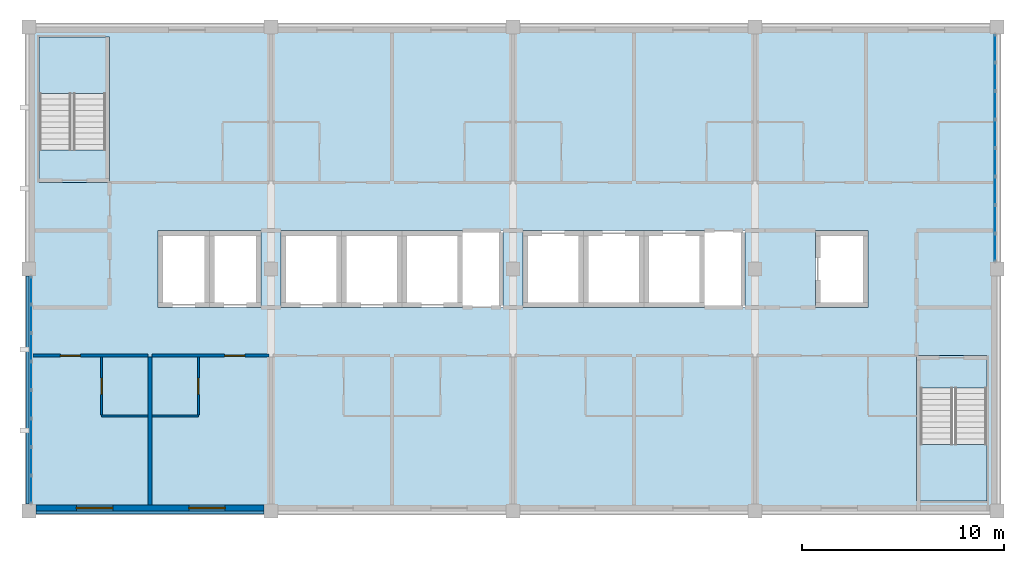
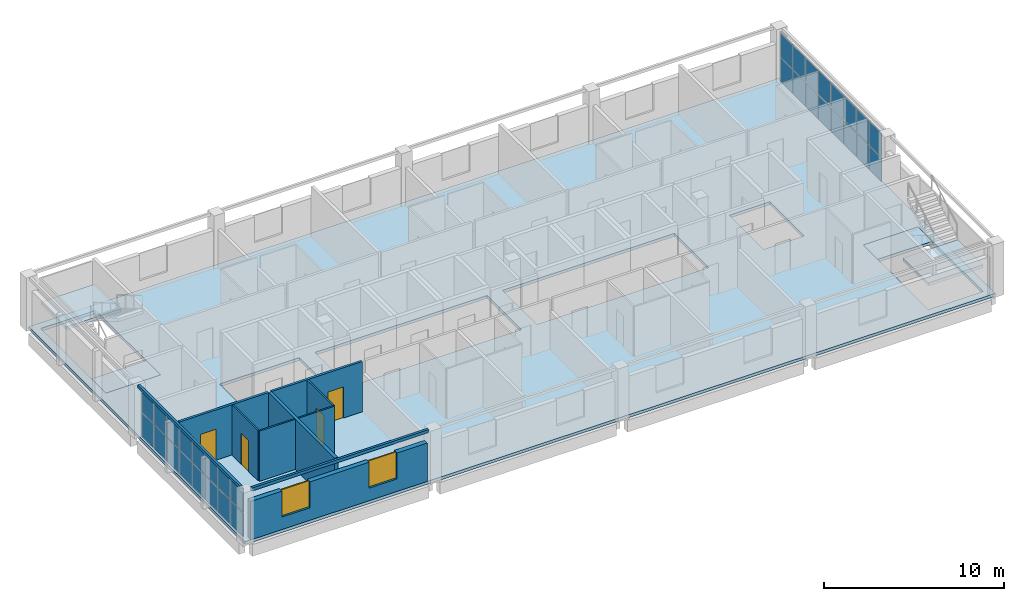
# One storey, part 5 of 11: 32 plates, 10 walls, 5 slabs, 4 doors, 2 windows, 6 openings, 4 elements without a shape of their own.
"""IFC4 building model written with IfcOpenShell, lengths in metres."""

from ifc_helpers import new_model, si_unit, direction, frame, frame_2d, origin, origin_2d, place, context, subcontext, project, spatial, polyline, rectangle, outline, extrude, material, layer, layer_set, type_object, element, fill, aggregate, save


model = new_model("IFC4")

# Units and contexts
model_context = context("Model", 3, precision=1e-05, world=origin(), true_north=direction((0.0, 1.0)))
body_context = subcontext(model_context, "Body", "Model", "MODEL_VIEW")
ifc_project = project(units=[si_unit("LENGTHUNIT", "METRE"), si_unit("AREAUNIT", "SQUARE_METRE"), si_unit("VOLUMEUNIT", "CUBIC_METRE"), si_unit("PLANEANGLEUNIT", "RADIAN"), si_unit("MASSUNIT", "GRAM", prefix="KILO")], contexts=[model_context])

# Site, building, storey
site_placement = place(None, origin())
site = spatial("IfcSite", under=ifc_project, at=site_placement, CompositionType="ELEMENT")
building_placement = place(site_placement, origin())
building = spatial("IfcBuilding", under=site, at=building_placement, Name="Lilac Gate Convention Centre", CompositionType="ELEMENT")
storey_placement = place(building_placement, frame((0.0, 0.0, 64.199951171875)))
storey = spatial("IfcBuildingStorey", under=building, at=storey_placement, Name="L16", CompositionType="ELEMENT", Elevation=64.199951171875)

# Curtain wall, plates
ifc_material_1 = material(Name="Aluminium framed double glazing", Category="aluminium")
ifc_layer_1 = layer(ifc_material_1, 0.199951171875)
ifc_layer_set_1 = layer_set([ifc_layer_1], Name="Aluminium framed double glazing")
curtain_wall_type = type_object("IfcCurtainWallType", Name="Unitised curtain wall 1500", PredefinedType="NOTDEFINED", material=ifc_layer_set_1)
curtain_wall_1_placement = place(storey_placement, origin())
curtain_wall_1 = element("IfcCurtainWall", 1, at=curtain_wall_1_placement, inside=storey, type_object=curtain_wall_type, Name="Curtain wall E L16 2", PredefinedType="NOTDEFINED")
ifc_material_2 = material(Name="Double glazed unit low emissivity")
ifc_layer_2 = layer(ifc_material_2, 0.028076171875)
ifc_layer_set_2 = layer_set([ifc_layer_2], Name="Double glazed unit low emissivity")
plate_type_1 = type_object("IfcPlateType", Name="Curtain wall glass panel 28", PredefinedType="CURTAIN_PANEL", material=ifc_layer_set_2)
plate_1_placement = place(storey_placement, frame((89.89990234375, 235.0712890625, 1.72998046875), z_axis=(0.0, 0.0, 1.0), x_axis=(0.0, 1.0, 0.0)))
plate_1 = element("IfcPlate", 2, at=plate_1_placement, type_object=plate_type_1, Name="CW panel 1.2", PredefinedType="CURTAIN_PANEL", context=body_context, shape_type="SweptSolid", body=[
    extrude(rectangle(XDim=1.322509765625, YDim=0.028076171875, at=origin_2d()), origin(), (0.0, 0.0, 1.0), 1.610107421875),
])
plate_2_placement = place(storey_placement, frame((89.89990234375, 236.46875, 1.72998046875), z_axis=(0.0, 0.0, 1.0), x_axis=(0.0, 1.0, 0.0)))
plate_2 = element("IfcPlate", 3, at=plate_2_placement, type_object=plate_type_1, Name="CW panel 2.2", PredefinedType="CURTAIN_PANEL", context=body_context, shape_type="SweptSolid", body=[
    extrude(rectangle(XDim=1.3525390625, YDim=0.028076171875, at=origin_2d()), origin(), (0.0, 0.0, 1.0), 1.610107421875),
])
plate_3_placement = place(storey_placement, frame((89.89990234375, 237.88134765625, 1.72998046875), z_axis=(0.0, 0.0, 1.0), x_axis=(0.0, 1.0, 0.0)))
plate_3 = element("IfcPlate", 4, at=plate_3_placement, type_object=plate_type_1, Name="CW panel 3.2", PredefinedType="CURTAIN_PANEL", context=body_context, shape_type="SweptSolid", body=[
    extrude(rectangle(XDim=1.3525390625, YDim=0.028076171875, at=origin_2d()), origin(), (0.0, 0.0, 1.0), 1.610107421875),
])
plate_4_placement = place(storey_placement, frame((89.89990234375, 239.293701171875, 1.72998046875), z_axis=(0.0, 0.0, 1.0), x_axis=(0.0, 1.0, 0.0)))
plate_4 = element("IfcPlate", 5, at=plate_4_placement, type_object=plate_type_1, Name="CW panel 4.2", PredefinedType="CURTAIN_PANEL", context=body_context, shape_type="SweptSolid", body=[
    extrude(rectangle(XDim=1.3525390625, YDim=0.028076171875, at=origin_2d()), origin(), (0.0, 0.0, 1.0), 1.610107421875),
])
plate_5_placement = place(storey_placement, frame((89.89990234375, 240.706298828125, 1.72998046875), z_axis=(0.0, 0.0, 1.0), x_axis=(0.0, 1.0, 0.0)))
plate_5 = element("IfcPlate", 6, at=plate_5_placement, type_object=plate_type_1, Name="CW panel 5.2", PredefinedType="CURTAIN_PANEL", context=body_context, shape_type="SweptSolid", body=[
    extrude(rectangle(XDim=1.3525390625, YDim=0.028076171875, at=origin_2d()), origin(), (0.0, 0.0, 1.0), 1.610107421875),
])
plate_6_placement = place(storey_placement, frame((89.89990234375, 242.11865234375, 1.72998046875), z_axis=(0.0, 0.0, 1.0), x_axis=(0.0, 1.0, 0.0)))
plate_6 = element("IfcPlate", 7, at=plate_6_placement, type_object=plate_type_1, Name="CW panel 6.2", PredefinedType="CURTAIN_PANEL", context=body_context, shape_type="SweptSolid", body=[
    extrude(rectangle(XDim=1.3525390625, YDim=0.028076171875, at=origin_2d()), origin(), (0.0, 0.0, 1.0), 1.610107421875),
])
plate_7_placement = place(storey_placement, frame((89.89990234375, 243.53125, 1.72998046875), z_axis=(0.0, 0.0, 1.0), x_axis=(0.0, 1.0, 0.0)))
plate_7 = element("IfcPlate", 8, at=plate_7_placement, type_object=plate_type_1, Name="CW panel 7.2", PredefinedType="CURTAIN_PANEL", context=body_context, shape_type="SweptSolid", body=[
    extrude(rectangle(XDim=1.3525390625, YDim=0.028076171875, at=origin_2d()), origin(), (0.0, 0.0, 1.0), 1.610107421875),
])
plate_8_placement = place(storey_placement, frame((89.89990234375, 244.9287109375, 1.72998046875), z_axis=(0.0, 0.0, 1.0), x_axis=(0.0, 1.0, 0.0)))
plate_8 = element("IfcPlate", 9, at=plate_8_placement, type_object=plate_type_1, Name="CW panel 8.2", PredefinedType="CURTAIN_PANEL", context=body_context, shape_type="SweptSolid", body=[
    extrude(rectangle(XDim=1.322509765625, YDim=0.028076171875, at=origin_2d()), origin(), (0.0, 0.0, 1.0), 1.610107421875),
])

curtain_wall_2_placement = place(storey_placement, origin())
curtain_wall_2 = element("IfcCurtainWall", 10, at=curtain_wall_2_placement, inside=storey, type_object=curtain_wall_type, Name="Curtain wall W L16 2", PredefinedType="NOTDEFINED")
plate_9_placement = place(storey_placement, frame((42.10009765625, 232.9287109375, 1.72998046875), z_axis=(0.0, 0.0, 1.0), x_axis=(0.0, -1.0, 0.0)))
plate_9 = element("IfcPlate", 11, at=plate_9_placement, type_object=plate_type_1, Name="CW panel 1.2", PredefinedType="CURTAIN_PANEL", context=body_context, shape_type="SweptSolid", body=[
    extrude(rectangle(XDim=1.322509765625, YDim=0.028076171875, at=origin_2d()), origin(), (0.0, 0.0, 1.0), 1.610107421875),
])
plate_10_placement = place(storey_placement, frame((42.10009765625, 231.53125, 1.72998046875), z_axis=(0.0, 0.0, 1.0), x_axis=(0.0, -1.0, 0.0)))
plate_10 = element("IfcPlate", 12, at=plate_10_placement, type_object=plate_type_1, Name="CW panel 2.2", PredefinedType="CURTAIN_PANEL", context=body_context, shape_type="SweptSolid", body=[
    extrude(rectangle(XDim=1.3525390625, YDim=0.028076171875, at=origin_2d()), origin(), (0.0, 0.0, 1.0), 1.610107421875),
])
plate_11_placement = place(storey_placement, frame((42.10009765625, 230.11865234375, 1.72998046875), z_axis=(0.0, 0.0, 1.0), x_axis=(0.0, -1.0, 0.0)))
plate_11 = element("IfcPlate", 13, at=plate_11_placement, type_object=plate_type_1, Name="CW panel 3.2", PredefinedType="CURTAIN_PANEL", context=body_context, shape_type="SweptSolid", body=[
    extrude(rectangle(XDim=1.3525390625, YDim=0.028076171875, at=origin_2d()), origin(), (0.0, 0.0, 1.0), 1.610107421875),
])
plate_12_placement = place(storey_placement, frame((42.10009765625, 228.706298828125, 1.72998046875), z_axis=(0.0, 0.0, 1.0), x_axis=(0.0, -1.0, 0.0)))
plate_12 = element("IfcPlate", 14, at=plate_12_placement, type_object=plate_type_1, Name="CW panel 4.2", PredefinedType="CURTAIN_PANEL", context=body_context, shape_type="SweptSolid", body=[
    extrude(rectangle(XDim=1.3525390625, YDim=0.028076171875, at=origin_2d()), origin(), (0.0, 0.0, 1.0), 1.610107421875),
])
plate_13_placement = place(storey_placement, frame((42.10009765625, 227.293701171875, 1.72998046875), z_axis=(0.0, 0.0, 1.0), x_axis=(0.0, -1.0, 0.0)))
plate_13 = element("IfcPlate", 15, at=plate_13_placement, type_object=plate_type_1, Name="CW panel 5.2", PredefinedType="CURTAIN_PANEL", context=body_context, shape_type="SweptSolid", body=[
    extrude(rectangle(XDim=1.3525390625, YDim=0.028076171875, at=origin_2d()), origin(), (0.0, 0.0, 1.0), 1.610107421875),
])
plate_14_placement = place(storey_placement, frame((42.10009765625, 225.88134765625, 1.72998046875), z_axis=(0.0, 0.0, 1.0), x_axis=(0.0, -1.0, 0.0)))
plate_14 = element("IfcPlate", 16, at=plate_14_placement, type_object=plate_type_1, Name="CW panel 6.2", PredefinedType="CURTAIN_PANEL", context=body_context, shape_type="SweptSolid", body=[
    extrude(rectangle(XDim=1.3525390625, YDim=0.028076171875, at=origin_2d()), origin(), (0.0, 0.0, 1.0), 1.610107421875),
])
plate_15_placement = place(storey_placement, frame((42.10009765625, 224.46875, 1.72998046875), z_axis=(0.0, 0.0, 1.0), x_axis=(0.0, -1.0, 0.0)))
plate_15 = element("IfcPlate", 17, at=plate_15_placement, type_object=plate_type_1, Name="CW panel 7.2", PredefinedType="CURTAIN_PANEL", context=body_context, shape_type="SweptSolid", body=[
    extrude(rectangle(XDim=1.3525390625, YDim=0.028076171875, at=origin_2d()), origin(), (0.0, 0.0, 1.0), 1.610107421875),
])
plate_16_placement = place(storey_placement, frame((42.10009765625, 223.0712890625, 1.72998046875), z_axis=(0.0, 0.0, 1.0), x_axis=(0.0, -1.0, 0.0)))
plate_16 = element("IfcPlate", 18, at=plate_16_placement, type_object=plate_type_1, Name="CW panel 8.2", PredefinedType="CURTAIN_PANEL", context=body_context, shape_type="SweptSolid", body=[
    extrude(rectangle(XDim=1.322509765625, YDim=0.028076171875, at=origin_2d()), origin(), (0.0, 0.0, 1.0), 1.610107421875),
])

# Plate
ifc_material_3 = material(Name="Insulated aluminium spandrel panel", Category="aluminium")
ifc_layer_3 = layer(ifc_material_3, 0.028076171875)
ifc_layer_set_3 = layer_set([ifc_layer_3], Name="Insulated aluminium spandrel panel")
plate_type_2 = type_object("IfcPlateType", Name="Curtain wall spandrel panel 28", PredefinedType="CURTAIN_PANEL", material=ifc_layer_set_3)
plate_17_placement = place(storey_placement, frame((89.89990234375, 235.0712890625, 0.06005859375), z_axis=(0.0, 0.0, 1.0), x_axis=(0.0, 1.0, 0.0)))
plate_17 = element("IfcPlate", 19, at=plate_17_placement, type_object=plate_type_2, Name="CW spandrel 1.1", PredefinedType="CURTAIN_PANEL", context=body_context, shape_type="SweptSolid", body=[
    extrude(rectangle(XDim=1.322509765625, YDim=0.028076171875, at=origin_2d()), origin(), (0.0, 0.0, 1.0), 1.610107421875),
])

plate_18_placement = place(storey_placement, frame((89.89990234375, 236.46875, 0.06005859375), z_axis=(0.0, 0.0, 1.0), x_axis=(0.0, 1.0, 0.0)))
plate_18 = element("IfcPlate", 20, at=plate_18_placement, type_object=plate_type_2, Name="CW spandrel 2.1", PredefinedType="CURTAIN_PANEL", context=body_context, shape_type="SweptSolid", body=[
    extrude(rectangle(XDim=1.3525390625, YDim=0.028076171875, at=origin_2d()), origin(), (0.0, 0.0, 1.0), 1.610107421875),
])

plate_19_placement = place(storey_placement, frame((89.89990234375, 237.88134765625, 0.06005859375), z_axis=(0.0, 0.0, 1.0), x_axis=(0.0, 1.0, 0.0)))
plate_19 = element("IfcPlate", 21, at=plate_19_placement, type_object=plate_type_2, Name="CW spandrel 3.1", PredefinedType="CURTAIN_PANEL", context=body_context, shape_type="SweptSolid", body=[
    extrude(rectangle(XDim=1.3525390625, YDim=0.028076171875, at=origin_2d()), origin(), (0.0, 0.0, 1.0), 1.610107421875),
])

plate_20_placement = place(storey_placement, frame((89.89990234375, 239.293701171875, 0.06005859375), z_axis=(0.0, 0.0, 1.0), x_axis=(0.0, 1.0, 0.0)))
plate_20 = element("IfcPlate", 22, at=plate_20_placement, type_object=plate_type_2, Name="CW spandrel 4.1", PredefinedType="CURTAIN_PANEL", context=body_context, shape_type="SweptSolid", body=[
    extrude(rectangle(XDim=1.3525390625, YDim=0.028076171875, at=origin_2d()), origin(), (0.0, 0.0, 1.0), 1.610107421875),
])

plate_21_placement = place(storey_placement, frame((89.89990234375, 240.706298828125, 0.06005859375), z_axis=(0.0, 0.0, 1.0), x_axis=(0.0, 1.0, 0.0)))
plate_21 = element("IfcPlate", 23, at=plate_21_placement, type_object=plate_type_2, Name="CW spandrel 5.1", PredefinedType="CURTAIN_PANEL", context=body_context, shape_type="SweptSolid", body=[
    extrude(rectangle(XDim=1.3525390625, YDim=0.028076171875, at=origin_2d()), origin(), (0.0, 0.0, 1.0), 1.610107421875),
])

plate_22_placement = place(storey_placement, frame((89.89990234375, 242.11865234375, 0.06005859375), z_axis=(0.0, 0.0, 1.0), x_axis=(0.0, 1.0, 0.0)))
plate_22 = element("IfcPlate", 24, at=plate_22_placement, type_object=plate_type_2, Name="CW spandrel 6.1", PredefinedType="CURTAIN_PANEL", context=body_context, shape_type="SweptSolid", body=[
    extrude(rectangle(XDim=1.3525390625, YDim=0.028076171875, at=origin_2d()), origin(), (0.0, 0.0, 1.0), 1.610107421875),
])

plate_23_placement = place(storey_placement, frame((89.89990234375, 243.53125, 0.06005859375), z_axis=(0.0, 0.0, 1.0), x_axis=(0.0, 1.0, 0.0)))
plate_23 = element("IfcPlate", 25, at=plate_23_placement, type_object=plate_type_2, Name="CW spandrel 7.1", PredefinedType="CURTAIN_PANEL", context=body_context, shape_type="SweptSolid", body=[
    extrude(rectangle(XDim=1.3525390625, YDim=0.028076171875, at=origin_2d()), origin(), (0.0, 0.0, 1.0), 1.610107421875),
])

plate_24_placement = place(storey_placement, frame((89.89990234375, 244.9287109375, 0.06005859375), z_axis=(0.0, 0.0, 1.0), x_axis=(0.0, 1.0, 0.0)))
plate_24 = element("IfcPlate", 26, at=plate_24_placement, type_object=plate_type_2, Name="CW spandrel 8.1", PredefinedType="CURTAIN_PANEL", context=body_context, shape_type="SweptSolid", body=[
    extrude(rectangle(XDim=1.322509765625, YDim=0.028076171875, at=origin_2d()), origin(), (0.0, 0.0, 1.0), 1.610107421875),
])

aggregate(curtain_wall_1, [plate_17, plate_1, plate_18, plate_2, plate_19, plate_3, plate_20, plate_4, plate_21, plate_5, plate_22, plate_6, plate_23, plate_7, plate_24, plate_8])

plate_25_placement = place(storey_placement, frame((42.10009765625, 232.9287109375, 0.06005859375), z_axis=(0.0, 0.0, 1.0), x_axis=(0.0, -1.0, 0.0)))
plate_25 = element("IfcPlate", 27, at=plate_25_placement, type_object=plate_type_2, Name="CW spandrel 1.1", PredefinedType="CURTAIN_PANEL", context=body_context, shape_type="SweptSolid", body=[
    extrude(rectangle(XDim=1.322509765625, YDim=0.028076171875, at=origin_2d()), origin(), (0.0, 0.0, 1.0), 1.610107421875),
])

plate_26_placement = place(storey_placement, frame((42.10009765625, 231.53125, 0.06005859375), z_axis=(0.0, 0.0, 1.0), x_axis=(0.0, -1.0, 0.0)))
plate_26 = element("IfcPlate", 28, at=plate_26_placement, type_object=plate_type_2, Name="CW spandrel 2.1", PredefinedType="CURTAIN_PANEL", context=body_context, shape_type="SweptSolid", body=[
    extrude(rectangle(XDim=1.3525390625, YDim=0.028076171875, at=origin_2d()), origin(), (0.0, 0.0, 1.0), 1.610107421875),
])

plate_27_placement = place(storey_placement, frame((42.10009765625, 230.11865234375, 0.06005859375), z_axis=(0.0, 0.0, 1.0), x_axis=(0.0, -1.0, 0.0)))
plate_27 = element("IfcPlate", 29, at=plate_27_placement, type_object=plate_type_2, Name="CW spandrel 3.1", PredefinedType="CURTAIN_PANEL", context=body_context, shape_type="SweptSolid", body=[
    extrude(rectangle(XDim=1.3525390625, YDim=0.028076171875, at=origin_2d()), origin(), (0.0, 0.0, 1.0), 1.610107421875),
])

plate_28_placement = place(storey_placement, frame((42.10009765625, 228.706298828125, 0.06005859375), z_axis=(0.0, 0.0, 1.0), x_axis=(0.0, -1.0, 0.0)))
plate_28 = element("IfcPlate", 30, at=plate_28_placement, type_object=plate_type_2, Name="CW spandrel 4.1", PredefinedType="CURTAIN_PANEL", context=body_context, shape_type="SweptSolid", body=[
    extrude(rectangle(XDim=1.3525390625, YDim=0.028076171875, at=origin_2d()), origin(), (0.0, 0.0, 1.0), 1.610107421875),
])

plate_29_placement = place(storey_placement, frame((42.10009765625, 227.293701171875, 0.06005859375), z_axis=(0.0, 0.0, 1.0), x_axis=(0.0, -1.0, 0.0)))
plate_29 = element("IfcPlate", 31, at=plate_29_placement, type_object=plate_type_2, Name="CW spandrel 5.1", PredefinedType="CURTAIN_PANEL", context=body_context, shape_type="SweptSolid", body=[
    extrude(rectangle(XDim=1.3525390625, YDim=0.028076171875, at=origin_2d()), origin(), (0.0, 0.0, 1.0), 1.610107421875),
])

plate_30_placement = place(storey_placement, frame((42.10009765625, 225.88134765625, 0.06005859375), z_axis=(0.0, 0.0, 1.0), x_axis=(0.0, -1.0, 0.0)))
plate_30 = element("IfcPlate", 32, at=plate_30_placement, type_object=plate_type_2, Name="CW spandrel 6.1", PredefinedType="CURTAIN_PANEL", context=body_context, shape_type="SweptSolid", body=[
    extrude(rectangle(XDim=1.3525390625, YDim=0.028076171875, at=origin_2d()), origin(), (0.0, 0.0, 1.0), 1.610107421875),
])

plate_31_placement = place(storey_placement, frame((42.10009765625, 224.46875, 0.06005859375), z_axis=(0.0, 0.0, 1.0), x_axis=(0.0, -1.0, 0.0)))
plate_31 = element("IfcPlate", 33, at=plate_31_placement, type_object=plate_type_2, Name="CW spandrel 7.1", PredefinedType="CURTAIN_PANEL", context=body_context, shape_type="SweptSolid", body=[
    extrude(rectangle(XDim=1.3525390625, YDim=0.028076171875, at=origin_2d()), origin(), (0.0, 0.0, 1.0), 1.610107421875),
])

plate_32_placement = place(storey_placement, frame((42.10009765625, 223.0712890625, 0.06005859375), z_axis=(0.0, 0.0, 1.0), x_axis=(0.0, -1.0, 0.0)))
plate_32 = element("IfcPlate", 34, at=plate_32_placement, type_object=plate_type_2, Name="CW spandrel 8.1", PredefinedType="CURTAIN_PANEL", context=body_context, shape_type="SweptSolid", body=[
    extrude(rectangle(XDim=1.322509765625, YDim=0.028076171875, at=origin_2d()), origin(), (0.0, 0.0, 1.0), 1.610107421875),
])

aggregate(curtain_wall_2, [plate_25, plate_9, plate_26, plate_10, plate_27, plate_11, plate_28, plate_12, plate_29, plate_13, plate_30, plate_14, plate_31, plate_15, plate_32, plate_16])

# Stair, slabs
ifc_material_4 = material(Name="Concrete C40", Category="concrete")
stair_type = type_object("IfcStairType", Name="Exit stair", PredefinedType="DOUBLE_RETURN_STAIR", material=ifc_material_4)
stair_1_placement = place(storey_placement, origin())
stair_1 = element("IfcStair", 35, at=stair_1_placement, inside=storey, type_object=stair_type, Name="Exit stair NW L16", PredefinedType="DOUBLE_RETURN_STAIR")
ifc_layer_4 = layer(ifc_material_4, 0.199951171875)
ifc_layer_set_4 = layer_set([ifc_layer_4], Name="Concrete C40")
slab_type_1 = type_object("IfcSlabType", Name="Exit stair landing", PredefinedType="LANDING", material=ifc_layer_set_4)
slab_1_placement = place(storey_placement, frame((0.0, 0.0, -0.199951171875)))
slab_1 = element("IfcSlab", 36, at=slab_1_placement, type_object=slab_type_1, Name="ST-NW landing 1", PredefinedType="LANDING", context=body_context, shape_type="SweptSolid", body=[
    extrude(outline(polyline([(42.5, 238.300048828125), (46.0, 238.300048828125), (46.0, 239.89990234375), (42.5, 239.89990234375), (42.5, 238.300048828125)])), origin(), (0.0, 0.0, 1.0), 0.199951171875),
])
slab_2_placement = place(storey_placement, frame((0.0, 0.0, 1.60009765625)))
slab_2 = element("IfcSlab", 37, at=slab_2_placement, type_object=slab_type_1, Name="ST-NW landing 2", PredefinedType="LANDING", context=body_context, shape_type="SweptSolid", body=[
    extrude(outline(polyline([(42.5, 242.699951171875), (46.0, 242.699951171875), (46.0, 245.5), (42.5, 245.5), (42.5, 242.699951171875)])), origin(), (0.0, 0.0, 1.0), 0.199951171875),
])
aggregate(stair_1, [slab_1, slab_2])

stair_2_placement = place(storey_placement, origin())
stair_2 = element("IfcStair", 38, at=stair_2_placement, inside=storey, type_object=stair_type, Name="Exit stair SE L16", PredefinedType="DOUBLE_RETURN_STAIR")
slab_3_placement = place(storey_placement, frame((0.0, 0.0, -0.199951171875)))
slab_3 = element("IfcSlab", 39, at=slab_3_placement, type_object=slab_type_1, Name="ST-SE landing 1", PredefinedType="LANDING", context=body_context, shape_type="SweptSolid", body=[
    extrude(outline(polyline([(86.0, 228.10009765625), (89.5, 228.10009765625), (89.5, 229.699951171875), (86.0, 229.699951171875), (86.0, 228.10009765625)])), origin(), (0.0, 0.0, 1.0), 0.199951171875),
])
slab_4_placement = place(storey_placement, frame((0.0, 0.0, 1.60009765625)))
slab_4 = element("IfcSlab", 40, at=slab_4_placement, type_object=slab_type_1, Name="ST-SE landing 2", PredefinedType="LANDING", context=body_context, shape_type="SweptSolid", body=[
    extrude(outline(polyline([(86.0, 222.5), (89.5, 222.5), (89.5, 225.300048828125), (86.0, 225.300048828125), (86.0, 222.5)])), origin(), (0.0, 0.0, 1.0), 0.199951171875),
])
aggregate(stair_2, [slab_3, slab_4])

# Slab
ifc_layer_5 = layer(ifc_material_4, 0.199951171875)
ifc_layer_set_5 = layer_set([ifc_layer_5], Name="Concrete C40")
slab_type_2 = type_object("IfcSlabType", Name="Floor slab 200 C40", PredefinedType="FLOOR", material=ifc_layer_set_5)
slab_5_placement = place(storey_placement, frame((0.0, 0.0, -0.199951171875)))
element("IfcSlab", 41, at=slab_5_placement, inside=storey, type_object=slab_type_2, Name="FS3 slab L16 1", PredefinedType="FLOOR", context=body_context, shape_type="SweptSolid", body=[
    extrude(outline(polyline([(42.0, 222.0), (42.0, 246.0), (90.0, 246.0), (90.0, 222.0), (42.0, 222.0)]), holes=[polyline([(48.39990234375, 235.89990234375), (48.39990234375, 232.10009765625), (50.949951171875, 232.10009765625), (53.5, 232.10009765625), (53.5, 235.89990234375), (50.949951171875, 235.89990234375), (48.39990234375, 235.89990234375)]), polyline([(57.5, 235.89990234375), (54.5, 235.89990234375), (54.5, 232.10009765625), (57.5, 232.10009765625), (60.5, 232.10009765625), (63.5, 232.10009765625), (65.5, 232.10009765625), (65.5, 235.89990234375), (63.5, 235.89990234375), (60.5, 235.89990234375), (57.5, 235.89990234375)]), polyline([(42.5, 245.5), (42.5, 238.300048828125), (46.0, 238.300048828125), (46.0, 245.5), (42.5, 245.5)]), polyline([(89.5, 229.699951171875), (86.0, 229.699951171875), (86.0, 222.5), (89.5, 222.5), (89.5, 229.699951171875)]), polyline([(69.5, 235.89990234375), (66.5, 235.89990234375), (66.5, 232.10009765625), (69.5, 232.10009765625), (72.5, 232.10009765625), (75.5, 232.10009765625), (77.5, 232.10009765625), (77.5, 235.89990234375), (75.5, 235.89990234375), (72.5, 235.89990234375), (69.5, 235.89990234375)]), polyline([(83.60009765625, 235.89990234375), (81.0, 235.89990234375), (81.0, 232.10009765625), (83.60009765625, 232.10009765625), (83.60009765625, 235.89990234375)])]), origin(), (0.0, 0.0, 1.0), 0.199951171875),
])

# Wall, opening, door
ifc_material_5 = material(Name="Gypsum board on steel stud", Category="steel")
ifc_layer_6 = layer(ifc_material_5, 0.14990234375)
ifc_layer_set_6 = layer_set([ifc_layer_6], Name="Gypsum board on steel stud")
wall_type_1 = type_object("IfcWallType", Name="Corridor wall 150", PredefinedType="PARTITIONING", material=ifc_layer_set_6)
wall_1_placement = place(storey_placement, frame((47.89990234375, 229.699951171875, 0.0), z_axis=(0.0, 0.0, 1.0), x_axis=(-1.0, 0.0, 0.0)))
wall_1 = element("IfcWall", 42, at=wall_1_placement, inside=storey, type_object=wall_type_1, Name="Corridor wall 150 front 1601", PredefinedType="PARTITIONING", context=body_context, shape_type="SweptSolid", body=[
    extrude(rectangle(XDim=5.69970703125, YDim=0.14990234375, at=frame_2d((2.849853515625, 0.0))), origin(), (0.0, 0.0, 1.0), 3.400146484375),
])
opening_1_placement = place(wall_1_placement, frame((3.35009765625, 0.0, 0.0)))
opening_1 = element("IfcOpeningElement", 43, at=opening_1_placement, cuts=wall_1, Name="Opening T15-008", PredefinedType="OPENING", context=body_context, shape_type="SweptSolid", body=[
    extrude(rectangle(XDim=1.0, YDim=2.10009765625, at=frame_2d((0.5, 1.050048828125))), frame((0.0, 0.0849609375, 0.0), z_axis=(0.0, -1.0, 0.0), x_axis=(1.0, 0.0, 0.0)), (0.0, 0.0, 1.0), 0.169921875),
])
ifc_material_6 = material(Name="Timber", Category="wood")
door_type_1 = type_object("IfcDoorType", Name="Guest room entrance door 1000", OperationType="SINGLE_SWING_LEFT", PredefinedType="DOOR", material=ifc_material_6)
door_1_placement = place(opening_1_placement, origin())
door_1 = element("IfcDoor", 44, at=door_1_placement, inside=storey, type_object=door_type_1, Name="Guest room door 1601", OperationType="SINGLE_SWING_LEFT", OverallHeight=2.10009765625, OverallWidth=1.0, PredefinedType="DOOR", context=body_context, shape_type="SweptSolid", body=[
    extrude(rectangle(XDim=1.0, YDim=2.10009765625, at=frame_2d((0.5, 1.050048828125))), frame((0.0, 0.02490234375, 0.0), z_axis=(0.0, -1.0, 0.0), x_axis=(1.0, 0.0, 0.0)), (0.0, 0.0, 1.0), 0.050048828125),
])
fill(opening_1, door_1)

wall_2_placement = place(storey_placement, frame((53.89990234375, 229.699951171875, 0.0), z_axis=(0.0, 0.0, 1.0), x_axis=(-1.0, 0.0, 0.0)))
wall_2 = element("IfcWall", 45, at=wall_2_placement, inside=storey, type_object=wall_type_1, Name="Corridor wall 150 front 1602", PredefinedType="PARTITIONING", context=body_context, shape_type="SweptSolid", body=[
    extrude(rectangle(XDim=5.7998046875, YDim=0.14990234375, at=frame_2d((2.89990234375, 0.0))), origin(), (0.0, 0.0, 1.0), 3.400146484375),
])
opening_2_placement = place(wall_2_placement, frame((1.199951171875, 0.0, 0.0)))
opening_2 = element("IfcOpeningElement", 46, at=opening_2_placement, cuts=wall_2, Name="Opening T15-010", PredefinedType="OPENING", context=body_context, shape_type="SweptSolid", body=[
    extrude(rectangle(XDim=1.0, YDim=2.10009765625, at=frame_2d((0.5, 1.050048828125))), frame((0.0, 0.0849609375, 0.0), z_axis=(0.0, -1.0, 0.0), x_axis=(1.0, 0.0, 0.0)), (0.0, 0.0, 1.0), 0.169921875),
])
door_2_placement = place(opening_2_placement, origin())
door_2 = element("IfcDoor", 47, at=door_2_placement, inside=storey, type_object=door_type_1, Name="Guest room door 1602", OperationType="SINGLE_SWING_LEFT", OverallHeight=2.10009765625, OverallWidth=1.0, PredefinedType="DOOR", context=body_context, shape_type="SweptSolid", body=[
    extrude(rectangle(XDim=1.0, YDim=2.10009765625, at=frame_2d((0.5, 1.050048828125))), frame((0.0, 0.02490234375, 0.0), z_axis=(0.0, -1.0, 0.0), x_axis=(1.0, 0.0, 0.0)), (0.0, 0.0, 1.0), 0.050048828125),
])
fill(opening_2, door_2)

# Wall
ifc_layer_7 = layer(ifc_material_5, 0.10009765625)
ifc_layer_set_7 = layer_set([ifc_layer_7], Name="Gypsum board on steel stud")
wall_type_2 = type_object("IfcWallType", Name="En-suite wall 100", PredefinedType="PARTITIONING", material=ifc_layer_set_7)
wall_3_placement = place(storey_placement, frame((45.60009765625, 226.699951171875, 0.0), z_axis=(0.0, 0.0, 1.0), x_axis=(1.0, 0.0, 0.0)))
element("IfcWall", 48, at=wall_3_placement, inside=storey, type_object=wall_type_2, Name="En-suite wall 100 bath 1601", PredefinedType="PARTITIONING", context=body_context, shape_type="SweptSolid", body=[
    extrude(rectangle(XDim=2.2998046875, YDim=0.10009765625, at=frame_2d((1.14990234375, 0.0))), origin(), (0.0, 0.0, 1.0), 3.400146484375),
])

# Wall, opening, door
wall_4_placement = place(storey_placement, frame((45.60009765625, 226.75, 0.0), z_axis=(0.0, 0.0, 1.0), x_axis=(0.0, 1.0, 0.0)))
wall_4 = element("IfcWall", 49, at=wall_4_placement, inside=storey, type_object=wall_type_2, Name="En-suite wall 100 bath side 1601", PredefinedType="PARTITIONING", context=body_context, shape_type="SweptSolid", body=[
    extrude(rectangle(XDim=2.875, YDim=0.10009765625, at=frame_2d((1.4375, 0.0))), origin(), (0.0, 0.0, 1.0), 3.400146484375),
])
opening_3_placement = place(wall_4_placement, frame((1.03759765625, 0.0, 0.0)))
opening_3 = element("IfcOpeningElement", 50, at=opening_3_placement, cuts=wall_4, Name="Opening T15-009", PredefinedType="OPENING", context=body_context, shape_type="SweptSolid", body=[
    extrude(rectangle(XDim=0.800048828125, YDim=2.10009765625, at=frame_2d((0.39990234375, 1.050048828125))), frame((0.0, 0.06005859375, 0.0), z_axis=(0.0, -1.0, 0.0), x_axis=(1.0, 0.0, 0.0)), (0.0, 0.0, 1.0), 0.1201171875),
])
door_type_2 = type_object("IfcDoorType", Name="En-suite door 800", OperationType="SINGLE_SWING_LEFT", PredefinedType="DOOR", material=ifc_material_6)
door_3_placement = place(opening_3_placement, origin())
door_3 = element("IfcDoor", 51, at=door_3_placement, inside=storey, type_object=door_type_2, Name="En-suite door 1601", OperationType="SINGLE_SWING_RIGHT", OverallHeight=2.10009765625, OverallWidth=0.800048828125, PredefinedType="DOOR", context=body_context, shape_type="SweptSolid", body=[
    extrude(rectangle(XDim=0.800048828125, YDim=2.10009765625, at=frame_2d((0.39990234375, 1.050048828125))), frame((0.0, 0.02490234375, 0.0), z_axis=(0.0, -1.0, 0.0), x_axis=(1.0, 0.0, 0.0)), (0.0, 0.0, 1.0), 0.050048828125),
])
fill(opening_3, door_3)

# Wall
wall_5_placement = place(storey_placement, frame((48.10009765625, 226.699951171875, 0.0), z_axis=(0.0, 0.0, 1.0), x_axis=(1.0, 0.0, 0.0)))
element("IfcWall", 52, at=wall_5_placement, inside=storey, type_object=wall_type_2, Name="En-suite wall 100 bath 1602", PredefinedType="PARTITIONING", context=body_context, shape_type="SweptSolid", body=[
    extrude(rectangle(XDim=2.2998046875, YDim=0.10009765625, at=frame_2d((1.14990234375, 0.0))), origin(), (0.0, 0.0, 1.0), 3.400146484375),
])

# Wall, opening, door
wall_6_placement = place(storey_placement, frame((50.39990234375, 229.625, 0.0), z_axis=(0.0, 0.0, 1.0), x_axis=(0.0, -1.0, 0.0)))
wall_6 = element("IfcWall", 53, at=wall_6_placement, inside=storey, type_object=wall_type_2, Name="En-suite wall 100 bath side 1602", PredefinedType="PARTITIONING", context=body_context, shape_type="SweptSolid", body=[
    extrude(rectangle(XDim=2.875, YDim=0.10009765625, at=frame_2d((1.4375, 0.0))), origin(), (0.0, 0.0, 1.0), 3.400146484375),
])
opening_4_placement = place(wall_6_placement, frame((1.03759765625, 0.0, 0.0)))
opening_4 = element("IfcOpeningElement", 54, at=opening_4_placement, cuts=wall_6, Name="Opening T15-011", PredefinedType="OPENING", context=body_context, shape_type="SweptSolid", body=[
    extrude(rectangle(XDim=0.800048828125, YDim=2.10009765625, at=frame_2d((0.39990234375, 1.050048828125))), frame((0.0, 0.06005859375, 0.0), z_axis=(0.0, -1.0, 0.0), x_axis=(1.0, 0.0, 0.0)), (0.0, 0.0, 1.0), 0.1201171875),
])
door_4_placement = place(opening_4_placement, origin())
door_4 = element("IfcDoor", 55, at=door_4_placement, inside=storey, type_object=door_type_2, Name="En-suite door 1602", OperationType="SINGLE_SWING_LEFT", OverallHeight=2.10009765625, OverallWidth=0.800048828125, PredefinedType="DOOR", context=body_context, shape_type="SweptSolid", body=[
    extrude(rectangle(XDim=0.800048828125, YDim=2.10009765625, at=frame_2d((0.39990234375, 1.050048828125))), frame((0.0, 0.02490234375, 0.0), z_axis=(0.0, -1.0, 0.0), x_axis=(1.0, 0.0, 0.0)), (0.0, 0.0, 1.0), 0.050048828125),
])
fill(opening_4, door_4)

# Walls
ifc_layer_8 = layer(ifc_material_5, 0.199951171875)
ifc_layer_set_8 = layer_set([ifc_layer_8], Name="Gypsum board on steel stud")
wall_type_3 = type_object("IfcWallType", Name="Guest room party wall 200", PredefinedType="PARTITIONING", material=ifc_layer_set_8)
wall_7_placement = place(storey_placement, frame((48.0, 222.2998046875, 0.0), z_axis=(0.0, 0.0, 1.0), x_axis=(0.0, 1.0, 0.0)))
element("IfcWall", 56, at=wall_7_placement, inside=storey, type_object=wall_type_3, Name="Guest room party wall 200 party 48.0", PredefinedType="PARTITIONING", context=body_context, shape_type="SweptSolid", body=[
    extrude(rectangle(XDim=7.3251953125, YDim=0.199951171875, at=frame_2d((3.66259765625, 0.0))), origin(), (0.0, 0.0, 1.0), 3.400146484375),
])
ifc_material_7 = material(Name="Concrete C40 precast", Category="concrete")
ifc_layer_9 = layer(ifc_material_7, 0.1298828125)
ifc_material_8 = material(Name="Terracotta glazed cladding", Category="masonry")
ifc_layer_10 = layer(ifc_material_8, 0.02001953125)
ifc_layer_set_9 = layer_set([ifc_layer_9, ifc_layer_10], Name="Concrete C40 precast, Terracotta glazed cladding")
wall_type_4 = type_object("IfcWallType", Name="Precast band terracotta 150", PredefinedType="STANDARD", material=ifc_layer_set_9)
for number, where, z_axis, x_axis, name in (
    (57, (42.35009765625, 221.925048828125, 3.400146484375), (0.0, 0.0, 1.0), (1.0, 0.0, 0.0), "Precast band S L16 1"),
    (58, (41.925048828125, 233.64990234375, 3.400146484375), (0.0, 0.0, 1.0), (0.0, -1.0, 0.0), "Precast band W L16 2"),
):
    element("IfcWall", number, at=place(storey_placement, frame(where, z_axis=z_axis, x_axis=x_axis)), inside=storey, type_object=wall_type_4, Name=name, PredefinedType="STANDARD", context=body_context, shape_type="SweptSolid", body=[
        extrude(rectangle(XDim=11.2998046875, YDim=0.14990234375, at=frame_2d((5.64990234375, 0.0))), origin(), (0.0, 0.0, 1.0), 0.199951171875),
    ])

# Wall, openings, windows
ifc_material_9 = material(Name="Ochre mineral render")
ifc_layer_11 = layer(ifc_material_9, 0.02001953125)
ifc_layer_12 = layer(ifc_material_7, 0.06005859375)
ifc_material_10 = material(Name="Ventilated air cavity")
ifc_layer_13 = layer(ifc_material_10, 0.030029296875)
ifc_material_11 = material(Name="Mineral wool insulation")
ifc_layer_14 = layer(ifc_material_11, 0.1201171875)
ifc_material_12 = material(Name="Steel stud Q345 and gypsum lining", Category="steel")
ifc_layer_15 = layer(ifc_material_12, 0.070068359375)
ifc_layer_set_10 = layer_set([ifc_layer_11, ifc_layer_12, ifc_layer_13, ifc_layer_14, ifc_layer_15], Name="Ochre mineral render, Concrete C40 precast, Ventilated air cavity, Mineral wool insulation, Steel stud Q345 and gypsum lining")
wall_type_5 = type_object("IfcWallType", Name="Precast panel wall ochre 300", PredefinedType="STANDARD", material=ifc_layer_set_10)
wall_8_placement = place(storey_placement, frame((42.35009765625, 222.14990234375, 0.0), z_axis=(0.0, 0.0, 1.0), x_axis=(1.0, 0.0, 0.0)))
wall_8 = element("IfcWall", 59, at=wall_8_placement, inside=storey, type_object=wall_type_5, Name="External wall S L16 1", PredefinedType="STANDARD", context=body_context, shape_type="SweptSolid", body=[
    extrude(rectangle(XDim=11.2998046875, YDim=0.300048828125, at=frame_2d((5.64990234375, 0.0))), origin(), (0.0, 0.0, 1.0), 2.60009765625),
])
opening_5_placement = place(wall_8_placement, frame((2.0, 0.0, 0.85009765625)))
opening_5 = element("IfcOpeningElement", 60, at=opening_5_placement, cuts=wall_8, Name="Opening W1", PredefinedType="OPENING", context=body_context, shape_type="SweptSolid", body=[
    extrude(rectangle(XDim=1.800048828125, YDim=1.75, at=frame_2d((0.89990234375, 0.875))), frame((0.0, 0.159912109375, 0.0), z_axis=(0.0, -1.0, 0.0), x_axis=(1.0, 0.0, 0.0)), (0.0, 0.0, 1.0), 0.320068359375),
])
opening_6_placement = place(wall_8_placement, frame((7.574951171875, 0.0, 0.85009765625)))
opening_6 = element("IfcOpeningElement", 61, at=opening_6_placement, cuts=wall_8, Name="Opening W1", PredefinedType="OPENING", context=body_context, shape_type="SweptSolid", body=[
    extrude(rectangle(XDim=1.800048828125, YDim=1.75, at=frame_2d((0.89990234375, 0.875))), frame((0.0, 0.159912109375, 0.0), z_axis=(0.0, -1.0, 0.0), x_axis=(1.0, 0.0, 0.0)), (0.0, 0.0, 1.0), 0.320068359375),
])
window_type = type_object("IfcWindowType", Name="Guest room window 1800 x 1750", PartitioningType="DOUBLE_PANEL_VERTICAL", PredefinedType="WINDOW", material=ifc_material_1)
window_1_placement = place(opening_5_placement, origin())
window_1 = element("IfcWindow", 62, at=window_1_placement, inside=storey, type_object=window_type, Name="Window Guest S L16", OverallHeight=1.75, OverallWidth=1.800048828125, PartitioningType="SINGLE_PANEL", PredefinedType="WINDOW", context=body_context, shape_type="SweptSolid", body=[
    extrude(rectangle(XDim=1.800048828125, YDim=1.75, at=frame_2d((0.89990234375, 0.875))), frame((0.0, 0.030029296875, 0.0), z_axis=(0.0, -1.0, 0.0), x_axis=(1.0, 0.0, 0.0)), (0.0, 0.0, 1.0), 0.06005859375),
])
fill(opening_5, window_1)
window_2_placement = place(opening_6_placement, origin())
window_2 = element("IfcWindow", 63, at=window_2_placement, inside=storey, type_object=window_type, Name="Window Guest S L16", OverallHeight=1.75, OverallWidth=1.800048828125, PartitioningType="SINGLE_PANEL", PredefinedType="WINDOW", context=body_context, shape_type="SweptSolid", body=[
    extrude(rectangle(XDim=1.800048828125, YDim=1.75, at=frame_2d((0.89990234375, 0.875))), frame((0.0, 0.030029296875, 0.0), z_axis=(0.0, -1.0, 0.0), x_axis=(1.0, 0.0, 0.0)), (0.0, 0.0, 1.0), 0.06005859375),
])
fill(opening_6, window_2)

save(model, "model.ifc")
